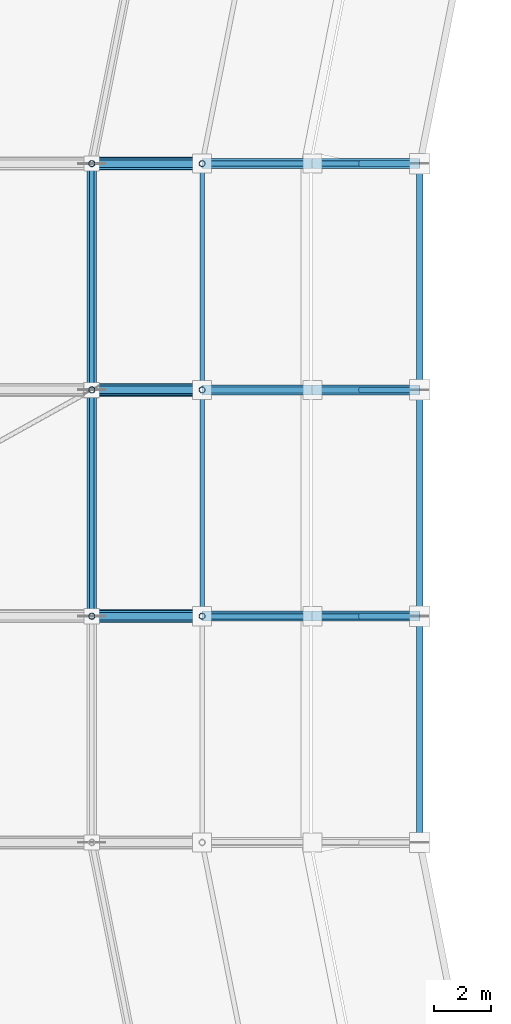
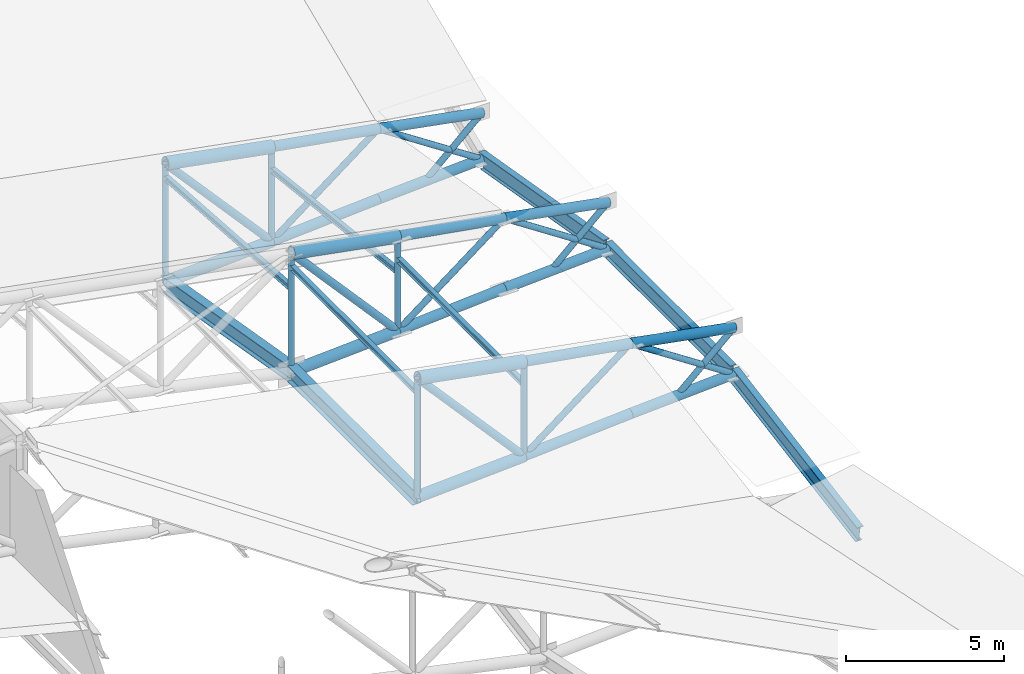
# One storey, part 42 of 146: 40 members, 5 beams.
"""IFC4 building model written with IfcOpenShell, lengths in metres."""

from ifc_helpers import new_model, si_unit, direction, frame, origin, origin_2d, place, context, subcontext, project, spatial, hollow_circle, i_section, extrude, material, material_profile, profile_set, type_object, element, save


model = new_model("IFC4")

# Units and contexts
model_context = context("Model", 3, precision=1e-05, world=origin(), true_north=direction((0.0, 1.0)))
body_context = subcontext(model_context, "Body", "Model", "MODEL_VIEW")
ifc_project = project(units=[si_unit("LENGTHUNIT", "METRE"), si_unit("AREAUNIT", "SQUARE_METRE"), si_unit("VOLUMEUNIT", "CUBIC_METRE"), si_unit("PLANEANGLEUNIT", "RADIAN"), si_unit("MASSUNIT", "GRAM", prefix="KILO")], contexts=[model_context])

# Site, building, storey
site_placement = place(None, origin())
site = spatial("IfcSite", under=ifc_project, at=site_placement, CompositionType="ELEMENT")
building_placement = place(site_placement, origin())
building = spatial("IfcBuilding", under=site, at=building_placement, Name="Candeia Ridge Stadium", CompositionType="ELEMENT")
storey_placement = place(building_placement, frame((0.0, 0.0, 31.800048828125)))
storey = spatial("IfcBuildingStorey", under=building, at=storey_placement, Name="RF", CompositionType="ELEMENT", Elevation=31.800048828125)

# Beams
ifc_material = material(Name="Steel ASTM A572 Grade 50", Category="steel")
ifc_material_profile_1 = material_profile(ifc_material, i_section(OverallWidth=0.324951171875, OverallDepth=0.615966796875, WebThickness=0.013916015625, FlangeThickness=0.021484375, FilletRadius=0.014892578125, at=origin_2d()), Name="W610x174", Category="steel")
ifc_profile_set_1 = profile_set([ifc_material_profile_1], Name="Steel ASTM A572 Grade 50")
beam_type_1 = type_object("IfcBeamType", Name="Roof Compression Ring Beam W610x174", PredefinedType="BEAM", material=ifc_profile_set_1)
beam_1_placement = place(storey_placement, frame((33.39990234375, 94.960693359375, -2.6572265625), z_axis=(0.0, -0.985328318339, 0.170669578656), x_axis=(1.0, 0.0, 0.0)))
element("IfcBeam", 1, at=beam_1_placement, inside=storey, type_object=beam_type_1, Name="Roof compression ring beam bay 12", PredefinedType="BEAM", context=body_context, shape_type="SweptSolid", body=[
    extrude(i_section(OverallWidth=0.324951171875, OverallDepth=0.615966796875, WebThickness=0.013916015625, FlangeThickness=0.021484375, FilletRadius=0.014892578125, at=origin_2d()), origin(), (0.0, 0.0, 1.0), 8.039306640625),
])
beam_2_placement = place(storey_placement, frame((33.39990234375, 86.9599609375, -1.278564453125), z_axis=(0.0, -1.0, 0.0), x_axis=(1.0, 0.0, 0.0)))
element("IfcBeam", 2, at=beam_2_placement, inside=storey, type_object=beam_type_1, Name="Roof compression ring beam bay 13", PredefinedType="BEAM", context=body_context, shape_type="SweptSolid", body=[
    extrude(i_section(OverallWidth=0.324951171875, OverallDepth=0.615966796875, WebThickness=0.013916015625, FlangeThickness=0.021484375, FilletRadius=0.014892578125, at=origin_2d()), origin(), (0.0, 0.0, 1.0), 7.919921875),
])
ifc_material_profile_2 = material_profile(ifc_material, i_section(OverallWidth=0.22998046875, OverallDepth=0.616943359375, WebThickness=0.01318359375, FlangeThickness=0.022216796875, FilletRadius=0.014892578125, at=origin_2d()), Name="W610x140", Category="steel")
ifc_profile_set_2 = profile_set([ifc_material_profile_2], Name="Steel ASTM A572 Grade 50")
beam_type_2 = type_object("IfcBeamType", Name="Roof Inner Tension Ring Beam W610x140", PredefinedType="BEAM", material=ifc_profile_set_2)
beam_3_placement = place(storey_placement, frame((45.0, 94.960693359375, -1.953125), z_axis=(0.0, -0.985333424819, 0.170640094744), x_axis=(1.0, 0.0, 0.0)))
element("IfcBeam", 3, at=beam_3_placement, inside=storey, type_object=beam_type_2, Name="Roof inner tension ring beam bay 12", PredefinedType="BEAM", context=body_context, shape_type="SweptSolid", body=[
    extrude(i_section(OverallWidth=0.22998046875, OverallDepth=0.616943359375, WebThickness=0.01318359375, FlangeThickness=0.022216796875, FilletRadius=0.014892578125, at=origin_2d()), origin(), (0.0, 0.0, 1.0), 8.039306640625),
])
beam_4_placement = place(storey_placement, frame((45.0, 86.9599609375, -0.574462890625), z_axis=(0.0, -1.0, 0.0), x_axis=(1.0, 0.0, 0.0)))
element("IfcBeam", 4, at=beam_4_placement, inside=storey, type_object=beam_type_2, Name="Roof inner tension ring beam bay 13", PredefinedType="BEAM", context=body_context, shape_type="SweptSolid", body=[
    extrude(i_section(OverallWidth=0.22998046875, OverallDepth=0.616943359375, WebThickness=0.01318359375, FlangeThickness=0.022216796875, FilletRadius=0.014892578125, at=origin_2d()), origin(), (0.0, 0.0, 1.0), 7.919921875),
])
beam_5_placement = place(storey_placement, frame((45.0, 78.960693359375, -0.581298828125), z_axis=(0.0, -0.985333424819, -0.170640094744), x_axis=(1.0, 0.0, 0.0)))
element("IfcBeam", 5, at=beam_5_placement, inside=storey, type_object=beam_type_2, Name="Roof inner tension ring beam bay 14", PredefinedType="BEAM", context=body_context, shape_type="SweptSolid", body=[
    extrude(i_section(OverallWidth=0.22998046875, OverallDepth=0.616943359375, WebThickness=0.01318359375, FlangeThickness=0.022216796875, FilletRadius=0.014892578125, at=origin_2d()), origin(), (0.0, 0.0, 1.0), 8.039306640625),
])

# Members
ifc_material_profile_3 = material_profile(ifc_material, i_section(OverallWidth=0.1650390625, OverallDepth=0.200927734375, WebThickness=0.006103515625, FlangeThickness=0.01025390625, FilletRadius=0.010009765625, at=origin_2d()), Name="W200x35.9", Category="steel")
ifc_profile_set_3 = profile_set([ifc_material_profile_3], Name="Steel ASTM A572 Grade 50")
member_type_1 = type_object("IfcMemberType", Name="Roof Purlin W200x35.9", PredefinedType="PURLIN", material=ifc_profile_set_3)
member_1_placement = place(storey_placement, frame((37.300048828125, 94.9501953125, 0.360107421875), z_axis=(0.0, -0.993733021818, 0.111779610612), x_axis=(1.0, 0.0, 0.0)))
element("IfcMember", 6, at=member_1_placement, inside=storey, type_object=member_type_1, Name="Saddle roof steel purlin bay 12-1", PredefinedType="PURLIN", context=body_context, shape_type="SweptSolid", body=[
    extrude(i_section(OverallWidth=0.1650390625, OverallDepth=0.200927734375, WebThickness=0.006103515625, FlangeThickness=0.01025390625, FilletRadius=0.010009765625, at=origin_2d()), origin(), (0.0, 0.0, 1.0), 7.9501953125),
])
member_2_placement = place(storey_placement, frame((33.39990234375, 94.9501953125, 1.41943359375), z_axis=(0.0, -0.997559396595, 0.069822992376), x_axis=(1.0, 0.0, 0.0)))
element("IfcMember", 7, at=member_2_placement, inside=storey, type_object=member_type_1, Name="Saddle roof steel purlin bay 12-2", PredefinedType="PURLIN", context=body_context, shape_type="SweptSolid", body=[
    extrude(i_section(OverallWidth=0.1650390625, OverallDepth=0.200927734375, WebThickness=0.006103515625, FlangeThickness=0.01025390625, FilletRadius=0.010009765625, at=origin_2d()), origin(), (0.0, 0.0, 1.0), 7.919677734375),
])
for number, where, z_axis, x_axis, name in (
    (8, (37.300048828125, 86.949951171875, 1.739990234375), (0.0, -1.0, 0.0), (1.0, 0.0, 0.0), "Saddle roof steel purlin bay 13-1"),
    (9, (33.39990234375, 86.949951171875, 2.801513671875), (0.0, -1.0, 0.0), (1.0, 0.0, 0.0), "Saddle roof steel purlin bay 13-2"),
):
    element("IfcMember", number, at=place(storey_placement, frame(where, z_axis=z_axis, x_axis=x_axis)), inside=storey, type_object=member_type_1, Name=name, PredefinedType="PURLIN", context=body_context, shape_type="SweptSolid", body=[
        extrude(i_section(OverallWidth=0.1650390625, OverallDepth=0.200927734375, WebThickness=0.006103515625, FlangeThickness=0.01025390625, FilletRadius=0.010009765625, at=origin_2d()), origin(), (0.0, 0.0, 1.0), 7.89990234375),
    ])
ifc_material_profile_4 = material_profile(ifc_material, hollow_circle(Radius=0.136474609375, WallThickness=0.010009765625, at=origin_2d()), Name="CHS273x10", Category="steel")
ifc_profile_set_4 = profile_set([ifc_material_profile_4], Name="Steel ASTM A572 Grade 50")
member_type_2 = type_object("IfcMemberType", Name="Roof Truss Heavy Web Brace CHS273x10", PredefinedType="BRACE", material=ifc_profile_set_4)
for number, where, z_axis, x_axis, name in (
    (10, (37.300048828125, 95.0, -2.444091796875), (-0.665001791652, 0.0, 0.746841761754), (0.0, -1.0, 0.0), "Roof cantilever truss RT-12 diagonal web 3"),
    (11, (37.300048828125, 87.0, -1.05859375), (-0.665001791652, 0.0, 0.746841761754), (0.0, -1.0, 0.0), "Roof cantilever truss RT-13 diagonal web 3"),
    (12, (37.300048828125, 79.0, -1.05859375), (-0.665001791652, 0.0, 0.746841761754), (0.0, -1.0, 0.0), "Roof cantilever truss RT-14 diagonal web 3"),
):
    element("IfcMember", number, at=place(storey_placement, frame(where, z_axis=z_axis, x_axis=x_axis)), inside=storey, type_object=member_type_2, Name=name, PredefinedType="BRACE", context=body_context, shape_type="SweptSolid", body=[
        extrude(hollow_circle(Radius=0.136474609375, WallThickness=0.010009765625, at=origin_2d()), origin(), (0.0, 0.0, 1.0), 5.86474609375),
    ])
ifc_material_profile_5 = material_profile(ifc_material, hollow_circle(Radius=0.109619140625, WallThickness=0.010009765625, at=origin_2d()), Name="CHS219x10", Category="steel")
ifc_profile_set_5 = profile_set([ifc_material_profile_5], Name="Steel ASTM A572 Grade 50")
member_type_3 = type_object("IfcMemberType", Name="Roof Truss Inner Web Brace CHS219x10", PredefinedType="BRACE", material=ifc_profile_set_5)
member_3_placement = place(storey_placement, frame((45.0, 95.0, -1.9599609375), z_axis=(-0.835124576935, 0.0, 0.550060852087), x_axis=(0.0, -1.0, 0.0)))
element("IfcMember", 13, at=member_3_placement, inside=storey, type_object=member_type_3, Name="Roof cantilever truss RT-12 diagonal web 1", PredefinedType="BRACE", context=body_context, shape_type="SweptSolid", body=[
    extrude(hollow_circle(Radius=0.109619140625, WallThickness=0.010009765625, at=origin_2d()), origin(), (0.0, 0.0, 1.0), 4.55029296875),
])
member_4_placement = place(storey_placement, frame((41.199951171875, 95.0, 0.54296875), z_axis=(-0.793887844601, 0.0, -0.608064215519), x_axis=(0.0, -1.0, 0.0)))
element("IfcMember", 14, at=member_4_placement, inside=storey, type_object=member_type_3, Name="Roof cantilever truss RT-12 diagonal web 2", PredefinedType="BRACE", context=body_context, shape_type="SweptSolid", body=[
    extrude(hollow_circle(Radius=0.109619140625, WallThickness=0.010009765625, at=origin_2d()), origin(), (0.0, 0.0, 1.0), 4.912353515625),
])
member_5_placement = place(storey_placement, frame((42.909912109375, 95.0, -2.077880859375), z_axis=(0.736836090738, 0.0, 0.676071427725), x_axis=(0.0, 1.0, 0.0)))
element("IfcMember", 15, at=member_5_placement, inside=storey, type_object=member_type_3, Name="Roof cantilever truss RT-12 vertical post 0", PredefinedType="BRACE", context=body_context, shape_type="SweptSolid", body=[
    extrude(hollow_circle(Radius=0.109619140625, WallThickness=0.010009765625, at=origin_2d()), origin(), (0.0, 0.0, 1.0), 2.836669921875),
])
member_6_placement = place(storey_placement, frame((37.300048828125, 95.0, -2.444091796875), z_axis=(0.0, 0.0, 1.0), x_axis=(1.0, 0.0, 0.0)))
element("IfcMember", 16, at=member_6_placement, inside=storey, type_object=member_type_3, Name="Roof cantilever truss RT-12 vertical post 2", PredefinedType="BRACE", context=body_context, shape_type="SweptSolid", body=[
    extrude(hollow_circle(Radius=0.109619140625, WallThickness=0.010009765625, at=origin_2d()), origin(), (0.0, 0.0, 1.0), 3.658447265625),
])
member_7_placement = place(storey_placement, frame((33.39990234375, 95.0, -2.6640625), z_axis=(0.0, 0.0, 1.0), x_axis=(1.0, 0.0, 0.0)))
element("IfcMember", 17, at=member_7_placement, inside=storey, type_object=member_type_3, Name="Roof cantilever truss RT-12 vertical post 3", PredefinedType="BRACE", context=body_context, shape_type="SweptSolid", body=[
    extrude(hollow_circle(Radius=0.109619140625, WallThickness=0.010009765625, at=origin_2d()), origin(), (0.0, 0.0, 1.0), 4.60009765625),
])
member_8_placement = place(storey_placement, frame((45.0, 87.0, -0.574462890625), z_axis=(-0.835124576935, 0.0, 0.550060852087), x_axis=(0.0, -1.0, 0.0)))
element("IfcMember", 18, at=member_8_placement, inside=storey, type_object=member_type_3, Name="Roof cantilever truss RT-13 diagonal web 1", PredefinedType="BRACE", context=body_context, shape_type="SweptSolid", body=[
    extrude(hollow_circle(Radius=0.109619140625, WallThickness=0.010009765625, at=origin_2d()), origin(), (0.0, 0.0, 1.0), 4.55029296875),
])
member_9_placement = place(storey_placement, frame((41.199951171875, 87.0, 1.928466796875), z_axis=(-0.793887844601, 0.0, -0.608064215519), x_axis=(0.0, -1.0, 0.0)))
element("IfcMember", 19, at=member_9_placement, inside=storey, type_object=member_type_3, Name="Roof cantilever truss RT-13 diagonal web 2", PredefinedType="BRACE", context=body_context, shape_type="SweptSolid", body=[
    extrude(hollow_circle(Radius=0.109619140625, WallThickness=0.010009765625, at=origin_2d()), origin(), (0.0, 0.0, 1.0), 4.912353515625),
])
member_10_placement = place(storey_placement, frame((42.909912109375, 87.0, -0.692138671875), z_axis=(0.736836090738, 0.0, 0.676071427725), x_axis=(0.0, 1.0, 0.0)))
element("IfcMember", 20, at=member_10_placement, inside=storey, type_object=member_type_3, Name="Roof cantilever truss RT-13 vertical post 0", PredefinedType="BRACE", context=body_context, shape_type="SweptSolid", body=[
    extrude(hollow_circle(Radius=0.109619140625, WallThickness=0.010009765625, at=origin_2d()), origin(), (0.0, 0.0, 1.0), 2.836669921875),
])
member_11_placement = place(storey_placement, frame((37.300048828125, 87.0, -1.05859375), z_axis=(0.0, 0.0, 1.0), x_axis=(1.0, 0.0, 0.0)))
element("IfcMember", 21, at=member_11_placement, inside=storey, type_object=member_type_3, Name="Roof cantilever truss RT-13 vertical post 2", PredefinedType="BRACE", context=body_context, shape_type="SweptSolid", body=[
    extrude(hollow_circle(Radius=0.109619140625, WallThickness=0.010009765625, at=origin_2d()), origin(), (0.0, 0.0, 1.0), 3.65869140625),
])
member_12_placement = place(storey_placement, frame((33.39990234375, 87.0, -1.278564453125), z_axis=(0.0, 0.0, 1.0), x_axis=(1.0, 0.0, 0.0)))
element("IfcMember", 22, at=member_12_placement, inside=storey, type_object=member_type_3, Name="Roof cantilever truss RT-13 vertical post 3", PredefinedType="BRACE", context=body_context, shape_type="SweptSolid", body=[
    extrude(hollow_circle(Radius=0.109619140625, WallThickness=0.010009765625, at=origin_2d()), origin(), (0.0, 0.0, 1.0), 4.60009765625),
])
member_13_placement = place(storey_placement, frame((45.0, 79.0, -0.574462890625), z_axis=(-0.835124576935, 0.0, 0.550060852087), x_axis=(0.0, -1.0, 0.0)))
element("IfcMember", 23, at=member_13_placement, inside=storey, type_object=member_type_3, Name="Roof cantilever truss RT-14 diagonal web 1", PredefinedType="BRACE", context=body_context, shape_type="SweptSolid", body=[
    extrude(hollow_circle(Radius=0.109619140625, WallThickness=0.010009765625, at=origin_2d()), origin(), (0.0, 0.0, 1.0), 4.55029296875),
])
member_14_placement = place(storey_placement, frame((41.199951171875, 79.0, 1.928466796875), z_axis=(-0.793887844601, 0.0, -0.608064215519), x_axis=(0.0, -1.0, 0.0)))
element("IfcMember", 24, at=member_14_placement, inside=storey, type_object=member_type_3, Name="Roof cantilever truss RT-14 diagonal web 2", PredefinedType="BRACE", context=body_context, shape_type="SweptSolid", body=[
    extrude(hollow_circle(Radius=0.109619140625, WallThickness=0.010009765625, at=origin_2d()), origin(), (0.0, 0.0, 1.0), 4.912353515625),
])
member_15_placement = place(storey_placement, frame((42.909912109375, 79.0, -0.692138671875), z_axis=(0.736836090738, 0.0, 0.676071427725), x_axis=(0.0, 1.0, 0.0)))
element("IfcMember", 25, at=member_15_placement, inside=storey, type_object=member_type_3, Name="Roof cantilever truss RT-14 vertical post 0", PredefinedType="BRACE", context=body_context, shape_type="SweptSolid", body=[
    extrude(hollow_circle(Radius=0.109619140625, WallThickness=0.010009765625, at=origin_2d()), origin(), (0.0, 0.0, 1.0), 2.836669921875),
])
member_16_placement = place(storey_placement, frame((37.300048828125, 79.0, -1.05859375), z_axis=(0.0, 0.0, 1.0), x_axis=(1.0, 0.0, 0.0)))
element("IfcMember", 26, at=member_16_placement, inside=storey, type_object=member_type_3, Name="Roof cantilever truss RT-14 vertical post 2", PredefinedType="BRACE", context=body_context, shape_type="SweptSolid", body=[
    extrude(hollow_circle(Radius=0.109619140625, WallThickness=0.010009765625, at=origin_2d()), origin(), (0.0, 0.0, 1.0), 3.65869140625),
])
member_17_placement = place(storey_placement, frame((33.39990234375, 79.0, -1.278564453125), z_axis=(0.0, 0.0, 1.0), x_axis=(1.0, 0.0, 0.0)))
element("IfcMember", 27, at=member_17_placement, inside=storey, type_object=member_type_3, Name="Roof cantilever truss RT-14 vertical post 3", PredefinedType="BRACE", context=body_context, shape_type="SweptSolid", body=[
    extrude(hollow_circle(Radius=0.109619140625, WallThickness=0.010009765625, at=origin_2d()), origin(), (0.0, 0.0, 1.0), 4.60009765625),
])
ifc_material_profile_6 = material_profile(ifc_material, hollow_circle(Radius=0.228515625, WallThickness=0.02001953125, at=origin_2d()), Name="CHS457x20", Category="steel")
ifc_profile_set_6 = profile_set([ifc_material_profile_6], Name="Steel ASTM A572 Grade 50")
member_type_4 = type_object("IfcMemberType", Name="Roof Truss Main Chord CHS457x20", PredefinedType="CHORD", material=ifc_profile_set_6)
for number, where, z_axis, x_axis, name in (
    (28, (37.300048828125, 95.0, 1.21435546875), (-0.983307710254, 0.0, 0.181950396965), (0.0, -1.0, 0.0), "Roof cantilever truss RT-12 top chord 3"),
    (29, (37.300048828125, 87.0, 2.60009765625), (-0.983318721205, 0.0, 0.181890880824), (0.0, -1.0, 0.0), "Roof cantilever truss RT-13 top chord 3"),
    (30, (37.300048828125, 79.0, 2.60009765625), (-0.983318721205, 0.0, 0.181890880824), (0.0, -1.0, 0.0), "Roof cantilever truss RT-14 top chord 3"),
):
    element("IfcMember", number, at=place(storey_placement, frame(where, z_axis=z_axis, x_axis=x_axis)), inside=storey, type_object=member_type_4, Name=name, PredefinedType="CHORD", context=body_context, shape_type="SweptSolid", body=[
        extrude(hollow_circle(Radius=0.228515625, WallThickness=0.02001953125, at=origin_2d()), origin(), (0.0, 0.0, 1.0), 3.96630859375),
    ])
ifc_material_profile_7 = material_profile(ifc_material, hollow_circle(Radius=0.202880859375, WallThickness=0.01611328125, at=origin_2d()), Name="CHS406x16", Category="steel")
ifc_profile_set_7 = profile_set([ifc_material_profile_7], Name="Steel ASTM A572 Grade 50")
member_type_5 = type_object("IfcMemberType", Name="Roof Truss Outer Chord CHS406x16", PredefinedType="CHORD", material=ifc_profile_set_7)
for number, where, z_axis, x_axis, name in (
    (31, (37.300048828125, 95.0, -2.444091796875), (-0.998413269272, 0.0, -0.056311133372), (0.0, -1.0, 0.0), "Roof cantilever truss RT-12 bottom chord 3"),
    (32, (37.300048828125, 87.0, -1.05859375), (-0.998413269272, 0.0, -0.056311133372), (0.0, -1.0, 0.0), "Roof cantilever truss RT-13 bottom chord 3"),
    (33, (37.300048828125, 79.0, -1.05859375), (-0.998413269272, 0.0, -0.056311133372), (0.0, -1.0, 0.0), "Roof cantilever truss RT-14 bottom chord 3"),
):
    element("IfcMember", number, at=place(storey_placement, frame(where, z_axis=z_axis, x_axis=x_axis)), inside=storey, type_object=member_type_5, Name=name, PredefinedType="CHORD", context=body_context, shape_type="SweptSolid", body=[
        extrude(hollow_circle(Radius=0.202880859375, WallThickness=0.01611328125, at=origin_2d()), origin(), (0.0, 0.0, 1.0), 3.90625),
    ])
ifc_material_profile_8 = material_profile(ifc_material, hollow_circle(Radius=0.177734375, WallThickness=0.01416015625, at=origin_2d()), Name="CHS355x14", Category="steel")
ifc_profile_set_8 = profile_set([ifc_material_profile_8], Name="Steel ASTM A572 Grade 50")
member_type_6 = type_object("IfcMemberType", Name="Roof Truss Tip Chord CHS355x14", PredefinedType="CHORD", material=ifc_profile_set_8)
member_18_placement = place(storey_placement, frame((45.0, 95.0, -0.16015625), z_axis=(-0.983309224326, 0.0, 0.181942214331), x_axis=(0.0, -1.0, 0.0)))
element("IfcMember", 34, at=member_18_placement, inside=storey, type_object=member_type_6, Name="Roof cantilever truss RT-12 top chord 1", PredefinedType="CHORD", context=body_context, shape_type="SweptSolid", body=[
    extrude(hollow_circle(Radius=0.177734375, WallThickness=0.01416015625, at=origin_2d()), origin(), (0.0, 0.0, 1.0), 3.864501953125),
])
member_19_placement = place(storey_placement, frame((45.0, 95.0, -1.9599609375), z_axis=(-0.99841282113, 0.0, -0.056319078506), x_axis=(0.0, -1.0, 0.0)))
element("IfcMember", 35, at=member_19_placement, inside=storey, type_object=member_type_6, Name="Roof cantilever truss RT-12 bottom chord 1", PredefinedType="CHORD", context=body_context, shape_type="SweptSolid", body=[
    extrude(hollow_circle(Radius=0.177734375, WallThickness=0.01416015625, at=origin_2d()), origin(), (0.0, 0.0, 1.0), 3.80615234375),
])
member_20_placement = place(storey_placement, frame((41.199951171875, 95.0, 0.54296875), z_axis=(-0.985502828795, 0.0, 0.169658994565), x_axis=(0.0, -1.0, 0.0)))
element("IfcMember", 36, at=member_20_placement, inside=storey, type_object=member_type_6, Name="Roof cantilever truss RT-12 top chord 2", PredefinedType="CHORD", context=body_context, shape_type="SweptSolid", body=[
    extrude(hollow_circle(Radius=0.177734375, WallThickness=0.01416015625, at=origin_2d()), origin(), (0.0, 0.0, 1.0), 3.957275390625),
])
member_21_placement = place(storey_placement, frame((41.199951171875, 95.0, -2.17431640625), z_axis=(-0.997615968556, 0.0, -0.069009994069), x_axis=(0.0, -1.0, 0.0)))
element("IfcMember", 37, at=member_21_placement, inside=storey, type_object=member_type_6, Name="Roof cantilever truss RT-12 bottom chord 2", PredefinedType="CHORD", context=body_context, shape_type="SweptSolid", body=[
    extrude(hollow_circle(Radius=0.177734375, WallThickness=0.01416015625, at=origin_2d()), origin(), (0.0, 0.0, 1.0), 3.9091796875),
])
member_22_placement = place(storey_placement, frame((45.0, 87.0, 1.2255859375), z_axis=(-0.9833205248, 0.0, 0.181881130157), x_axis=(0.0, -1.0, 0.0)))
element("IfcMember", 38, at=member_22_placement, inside=storey, type_object=member_type_6, Name="Roof cantilever truss RT-13 top chord 1", PredefinedType="CHORD", context=body_context, shape_type="SweptSolid", body=[
    extrude(hollow_circle(Radius=0.177734375, WallThickness=0.01416015625, at=origin_2d()), origin(), (0.0, 0.0, 1.0), 3.864501953125),
])
member_23_placement = place(storey_placement, frame((45.0, 87.0, -0.574462890625), z_axis=(-0.998416425934, 0.0, -0.05625513688), x_axis=(0.0, -1.0, 0.0)))
element("IfcMember", 39, at=member_23_placement, inside=storey, type_object=member_type_6, Name="Roof cantilever truss RT-13 bottom chord 1", PredefinedType="CHORD", context=body_context, shape_type="SweptSolid", body=[
    extrude(hollow_circle(Radius=0.177734375, WallThickness=0.01416015625, at=origin_2d()), origin(), (0.0, 0.0, 1.0), 3.80615234375),
])
member_24_placement = place(storey_placement, frame((41.199951171875, 87.0, 1.928466796875), z_axis=(-0.985492511851, 0.0, 0.169718911988), x_axis=(0.0, -1.0, 0.0)))
element("IfcMember", 40, at=member_24_placement, inside=storey, type_object=member_type_6, Name="Roof cantilever truss RT-13 top chord 2", PredefinedType="CHORD", context=body_context, shape_type="SweptSolid", body=[
    extrude(hollow_circle(Radius=0.177734375, WallThickness=0.01416015625, at=origin_2d()), origin(), (0.0, 0.0, 1.0), 3.957275390625),
])
member_25_placement = place(storey_placement, frame((41.199951171875, 87.0, -0.78857421875), z_axis=(-0.997611667068, 0.0, -0.069072148728), x_axis=(0.0, -1.0, 0.0)))
element("IfcMember", 41, at=member_25_placement, inside=storey, type_object=member_type_6, Name="Roof cantilever truss RT-13 bottom chord 2", PredefinedType="CHORD", context=body_context, shape_type="SweptSolid", body=[
    extrude(hollow_circle(Radius=0.177734375, WallThickness=0.01416015625, at=origin_2d()), origin(), (0.0, 0.0, 1.0), 3.9091796875),
])
member_26_placement = place(storey_placement, frame((45.0, 79.0, 1.2255859375), z_axis=(-0.9833205248, 0.0, 0.181881130157), x_axis=(0.0, -1.0, 0.0)))
element("IfcMember", 42, at=member_26_placement, inside=storey, type_object=member_type_6, Name="Roof cantilever truss RT-14 top chord 1", PredefinedType="CHORD", context=body_context, shape_type="SweptSolid", body=[
    extrude(hollow_circle(Radius=0.177734375, WallThickness=0.01416015625, at=origin_2d()), origin(), (0.0, 0.0, 1.0), 3.864501953125),
])
member_27_placement = place(storey_placement, frame((45.0, 79.0, -0.574462890625), z_axis=(-0.998416425934, 0.0, -0.05625513688), x_axis=(0.0, -1.0, 0.0)))
element("IfcMember", 43, at=member_27_placement, inside=storey, type_object=member_type_6, Name="Roof cantilever truss RT-14 bottom chord 1", PredefinedType="CHORD", context=body_context, shape_type="SweptSolid", body=[
    extrude(hollow_circle(Radius=0.177734375, WallThickness=0.01416015625, at=origin_2d()), origin(), (0.0, 0.0, 1.0), 3.80615234375),
])
member_28_placement = place(storey_placement, frame((41.199951171875, 79.0, 1.928466796875), z_axis=(-0.985492511851, 0.0, 0.169718911988), x_axis=(0.0, -1.0, 0.0)))
element("IfcMember", 44, at=member_28_placement, inside=storey, type_object=member_type_6, Name="Roof cantilever truss RT-14 top chord 2", PredefinedType="CHORD", context=body_context, shape_type="SweptSolid", body=[
    extrude(hollow_circle(Radius=0.177734375, WallThickness=0.01416015625, at=origin_2d()), origin(), (0.0, 0.0, 1.0), 3.957275390625),
])
member_29_placement = place(storey_placement, frame((41.199951171875, 79.0, -0.78857421875), z_axis=(-0.997611667068, 0.0, -0.069072148728), x_axis=(0.0, -1.0, 0.0)))
element("IfcMember", 45, at=member_29_placement, inside=storey, type_object=member_type_6, Name="Roof cantilever truss RT-14 bottom chord 2", PredefinedType="CHORD", context=body_context, shape_type="SweptSolid", body=[
    extrude(hollow_circle(Radius=0.177734375, WallThickness=0.01416015625, at=origin_2d()), origin(), (0.0, 0.0, 1.0), 3.9091796875),
])

save(model, "model.ifc")
